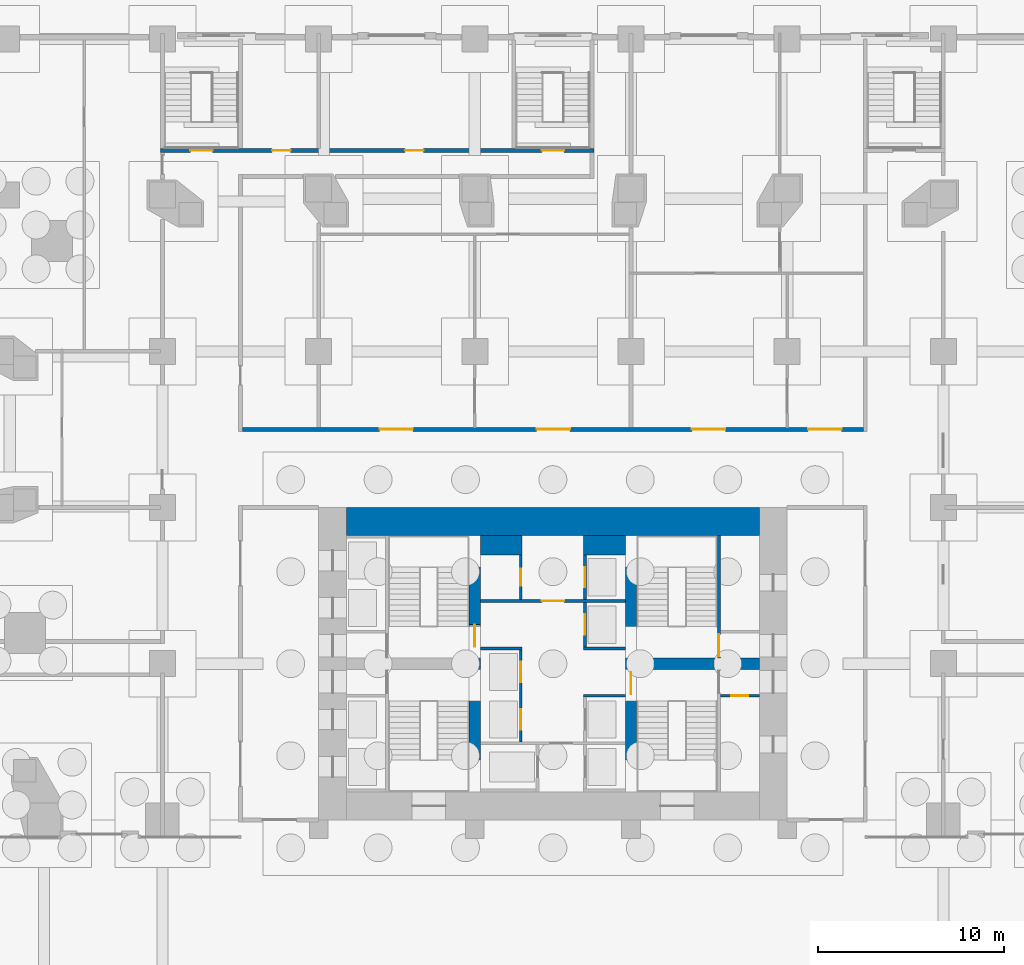
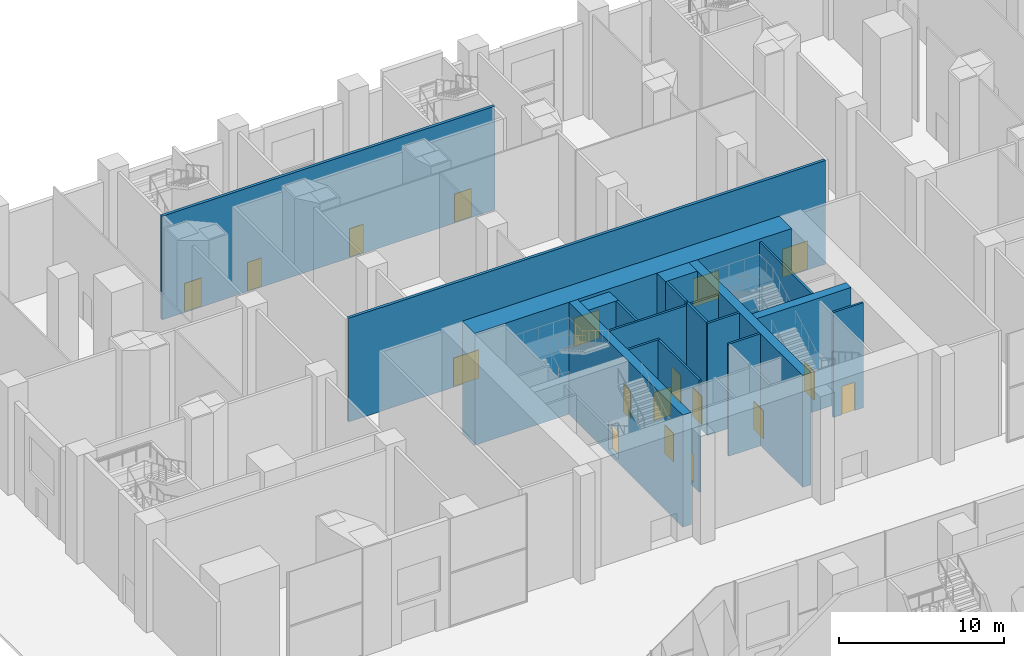
# One storey, part 17 of 31: 18 doors, 18 walls, 18 openings.
"""IFC4 building model written with IfcOpenShell, lengths in metres."""

import ifcopenshell
import ifcopenshell.guid

model = None  # the IFC model being written
_history = None  # IfcOwnerHistory: only IFC2X3 demands one
_inside = {}  # id of a spatial element -> (the spatial element, [elements in it])
_under = {}  # id of a project, library or spatial element -> (it, [spatial elements below it])
_declared = {}  # id of a project -> (the project, [libraries it declares])
_typed = {}  # id of a type object -> (the type object, [elements of that type])
_made_of = {}  # id of a material, layer set ... -> (it, [elements and type objects made of it])


def new_model(schema):
    """Start an empty IFC model of exactly this schema.

    Asked for "IFC4X3", IfcOpenShell would pick the latest addendum, in which some entities
    have other attributes; the version numbers below select the first issue.
    IFC2X3 requires an IfcOwnerHistory on every rooted entity: one is made here for all.
    """
    global model, _history
    if schema == "IFC4X3":
        model = ifcopenshell.file(schema_version=(4, 3, 0, 0))
    else:
        model = ifcopenshell.file(schema=schema)
    _inside.clear()
    _under.clear()
    _declared.clear()
    _typed.clear()
    _made_of.clear()
    _history = None
    if model.schema == "IFC2X3":
        org = make("IfcOrganization", Name="unknown")
        user = make(
            "IfcPersonAndOrganization",
            ThePerson=make("IfcPerson", FamilyName="unknown"),
            TheOrganization=org,
        )
        app = make(
            "IfcApplication",
            ApplicationDeveloper=org,
            Version="unknown",
            ApplicationFullName="unknown",
            ApplicationIdentifier="unknown",
        )
        _history = make(
            "IfcOwnerHistory",
            OwningUser=user,
            OwningApplication=app,
            ChangeAction="ADDED",
            CreationDate=0,
        )
    return model


def make(cls, **values):
    """One entity of the class cls with the attributes given. An attribute that is None is left unset."""
    return model.create_entity(
        cls, **{name: value for name, value in values.items() if value is not None}
    )


def rooted(cls, **values):
    """An entity with a GlobalId (a new one), such as an element, a storey or a relation."""
    return make(cls, GlobalId=ifcopenshell.guid.new(), OwnerHistory=_history, **values)


def si_unit(unit_type, name, prefix=None):
    """IfcSIUnit, for example si_unit("LENGTHUNIT", "METRE", prefix="MILLI")."""
    return make("IfcSIUnit", UnitType=unit_type, Prefix=prefix, Name=name)


def assignment(units):
    """IfcUnitAssignment: the units of a project."""
    return None if units is None else make("IfcUnitAssignment", Units=units)


def point(xyz):
    """IfcCartesianPoint."""
    return None if xyz is None else make("IfcCartesianPoint", Coordinates=xyz)


def direction(xyz):
    """IfcDirection."""
    return None if xyz is None else make("IfcDirection", DirectionRatios=xyz)


def frame(location, z_axis=None, x_axis=None):
    """IfcAxis2Placement3D, a coordinate frame: its origin and axes. An axis left out is left unset."""
    return make(
        "IfcAxis2Placement3D",
        Location=point(location),
        Axis=direction(z_axis),
        RefDirection=direction(x_axis),
    )


def frame_2d(location, x_axis=None):
    """IfcAxis2Placement2D, a coordinate frame in the plane: its origin and x axis."""
    return make(
        "IfcAxis2Placement2D", Location=point(location), RefDirection=direction(x_axis)
    )


def origin():
    """The frame at (0, 0, 0) with its axes left unset."""
    return frame((0.0, 0.0, 0.0))


def place(relative_to, where):
    """IfcLocalPlacement: puts the frame where relative to a parent placement (None: the world)."""
    return make(
        "IfcLocalPlacement", PlacementRelTo=relative_to, RelativePlacement=where
    )


def context(
    kind, dimensions, precision=None, world=None, true_north=None, identifier=None
):
    """IfcGeometricRepresentationContext, for example the 3D "Model" context."""
    return make(
        "IfcGeometricRepresentationContext",
        ContextIdentifier=identifier,
        ContextType=kind,
        CoordinateSpaceDimension=dimensions,
        Precision=precision,
        WorldCoordinateSystem=world,
        TrueNorth=true_north,
    )


def subcontext(parent, identifier, kind, view, scale=None):
    """IfcGeometricRepresentationSubContext, for example "Body" below "Model"."""
    return make(
        "IfcGeometricRepresentationSubContext",
        ContextIdentifier=identifier,
        ContextType=kind,
        ParentContext=parent,
        TargetScale=scale,
        TargetView=view,
    )


def project(units=None, contexts=None):
    """IfcProject with its units and contexts."""
    return rooted(
        "IfcProject",
        Name="project",
        RepresentationContexts=contexts,
        UnitsInContext=assignment(units),
    )


def spatial(cls, under=None, at=None, **own):
    """A site, building, storey or space (cls), placed at a placement, below another one or the project."""
    s = rooted(cls, ObjectPlacement=at, **own)
    if under is not None:
        _under.setdefault(under.id(), (under, []))[1].append(s)
    return s


def profile(cls, at=None, kind="AREA", **sizes):
    """A parametric profile (cls). Its sizes go by their IFC names, for example OverallWidth=200.0."""
    return make(cls, ProfileType=kind, Position=at, **sizes)


def rectangle(**sizes):
    """IfcRectangleProfileDef."""
    return profile("IfcRectangleProfileDef", **sizes)


def extrude(swept, where, along, depth):
    """IfcExtrudedAreaSolid: the profile swept, set in the frame where, extruded along a direction by depth."""
    return make(
        "IfcExtrudedAreaSolid",
        SweptArea=swept,
        Position=where,
        ExtrudedDirection=direction(along),
        Depth=depth,
    )


def shape(context_of_items, identifier, shape_type, items):
    """IfcShapeRepresentation: the items that make up one representation, for example the "Body"."""
    return make(
        "IfcShapeRepresentation",
        ContextOfItems=context_of_items,
        RepresentationIdentifier=identifier,
        RepresentationType=shape_type,
        Items=items,
    )


def material(Name=None, Category=None):
    """IfcMaterial."""
    return make("IfcMaterial", Name=Name, Category=Category)


def layer(
    of_material, thickness, ventilated=None, Name=None, Category=None, Priority=None
):
    """IfcMaterialLayer: one layer of a wall or slab, of a material (None: an air gap)."""
    return make(
        "IfcMaterialLayer",
        Material=of_material,
        LayerThickness=thickness,
        IsVentilated=ventilated,
        Name=Name,
        Category=Category,
        Priority=Priority,
    )


def layer_set(layers, Name=None):
    """IfcMaterialLayerSet."""
    return make("IfcMaterialLayerSet", MaterialLayers=layers, LayerSetName=Name)


def made_of(thing, what):
    """Note that an element or type object is made of a material, layer set ...; save() writes the relation."""
    if what is not None:
        _made_of.setdefault(what.id(), (what, []))[1].append(thing)
    return thing


def type_object(cls, material=None, **own):
    """A type object (cls), such as IfcWallType, which elements share."""
    return made_of(rooted(cls, **own), material)


def element(
    cls,
    number,
    at=None,
    inside=None,
    cuts=None,
    type_object=None,
    material=None,
    context=None,
    identifier="Body",
    shape_type=None,
    held_by="IfcProductDefinitionShape",
    body=None,
    shapes=None,
    **own,
):
    """One element of the class cls, such as IfcWall. Its Tag is "e" and its number.

    at: its placement. inside: the storey or other place that contains it. cuts: it is an
    opening in that element (IfcRelVoidsElement). A single representation is given by context,
    identifier, shape_type and body (its items); several are given by shapes. held_by: the class
    of the entity that holds the representations. save() writes the other relations.
    """
    e = rooted(cls, Tag="e%d" % number, ObjectPlacement=at, **own)
    if body is not None:
        shapes = [shape(context, identifier, shape_type, body)]
    if shapes is not None:
        e.Representation = make(held_by, Representations=shapes)
    if inside is not None:
        _inside.setdefault(inside.id(), (inside, []))[1].append(e)
    if cuts is not None:
        rooted(
            "IfcRelVoidsElement", RelatingBuildingElement=cuts, RelatedOpeningElement=e
        )
    if type_object is not None:
        _typed.setdefault(type_object.id(), (type_object, []))[1].append(e)
    return made_of(e, material)


def fill(opening, filler):
    """IfcRelFillsElement: the door or window that sits in an opening."""
    return rooted(
        "IfcRelFillsElement",
        RelatingOpeningElement=opening,
        RelatedBuildingElement=filler,
    )


def aggregate(whole, parts):
    """IfcRelAggregates: a whole, such as a stair, and the parts it consists of."""
    return rooted("IfcRelAggregates", RelatingObject=whole, RelatedObjects=parts)


def save(model, path):
    """Write the relations noted so far, then the file.

    IfcRelAggregates (storeys below a building ...), IfcRelContainedInSpatialStructure (elements
    in a storey), IfcRelDefinesByType, IfcRelAssociatesMaterial and IfcRelDeclares: one each for
    every whole, place, type object, material and project.
    """
    for whole, parts in _under.values():
        aggregate(whole, parts)
    for where, things in _inside.values():
        rooted(
            "IfcRelContainedInSpatialStructure",
            RelatedElements=things,
            RelatingStructure=where,
        )
    for kind, things in _typed.values():
        rooted("IfcRelDefinesByType", RelatedObjects=things, RelatingType=kind)
    for what, things in _made_of.values():
        rooted("IfcRelAssociatesMaterial", RelatedObjects=things, RelatingMaterial=what)
    for by, libraries in _declared.values():
        rooted("IfcRelDeclares", RelatingContext=by, RelatedDefinitions=libraries)
    model.write(path)


model = new_model("IFC4")

# Units and contexts
model_context = context("Model", 3, precision=1e-05, world=origin(), true_north=direction((0.0, 1.0)))
body_context = subcontext(model_context, "Body", "Model", "MODEL_VIEW")
ifc_project = project(units=[si_unit("LENGTHUNIT", "METRE"), si_unit("AREAUNIT", "SQUARE_METRE"), si_unit("VOLUMEUNIT", "CUBIC_METRE"), si_unit("PLANEANGLEUNIT", "RADIAN"), si_unit("MASSUNIT", "GRAM", prefix="KILO")], contexts=[model_context])

# Site, building, storey
site_placement = place(None, origin())
site = spatial("IfcSite", under=ifc_project, at=site_placement, CompositionType="ELEMENT")
building_placement = place(site_placement, origin())
building = spatial("IfcBuilding", under=site, at=building_placement, Name="Marenta Gate Hotel Tower", CompositionType="ELEMENT")
storey_placement = place(building_placement, origin())
storey = spatial("IfcBuildingStorey", under=building, at=storey_placement, Name="L00", CompositionType="ELEMENT", Elevation=0.0)

# Wall, opening, door
ifc_material_1 = material(Name="Concrete blockwork", Category="masonry")
ifc_layer_1 = layer(ifc_material_1, 0.14990234375)
ifc_layer_set_1 = layer_set([ifc_layer_1], Name="Concrete blockwork")
wall_type_1 = type_object("IfcWallType", Name="Core lobby partition 150 REI 180", PredefinedType="PARTITIONING", material=ifc_layer_set_1)
wall_1_placement = place(storey_placement, frame((-3.89990234375, 11.77490234375, 0.0), z_axis=(0.0, 0.0, 1.0), x_axis=(1.0, 0.0, 0.0)))
wall_1 = element("IfcWall", 1, at=wall_1_placement, inside=storey, type_object=wall_type_1, Name="L00-CP-CW-N", PredefinedType="PARTITIONING", context=body_context, shape_type="SweptSolid", body=[
    extrude(rectangle(XDim=7.7998046875, YDim=0.14990234375, at=frame_2d((3.89990234375, 0.0))), origin(), (0.0, 0.0, 1.0), 7.780029296875),
])
opening_1_placement = place(wall_1_placement, frame((3.300048828125, 0.0, 0.0)))
opening_1 = element("IfcOpeningElement", 2, at=opening_1_placement, cuts=wall_1, Name="Opening FD-FFN", PredefinedType="OPENING", context=body_context, shape_type="SweptSolid", body=[
    extrude(rectangle(XDim=1.199951171875, YDim=2.10009765625, at=frame_2d((0.60009765625, 1.050048828125))), frame((0.0, 0.074951171875, 0.0), z_axis=(0.0, -1.0, 0.0), x_axis=(1.0, 0.0, 0.0)), (0.0, 0.0, 1.0), 0.14990234375),
])
ifc_material_2 = material(Name="Steel", Category="steel")
door_type_1 = type_object("IfcDoorType", Name="Core lobby door 1200x2100 FD60", OperationType="SINGLE_SWING_LEFT", PredefinedType="DOOR", material=ifc_material_2)
door_1_placement = place(opening_1_placement, origin())
door_1 = element("IfcDoor", 3, at=door_1_placement, inside=storey, type_object=door_type_1, Name="FD-FFN", OperationType="SINGLE_SWING_LEFT", OverallHeight=2.10009765625, OverallWidth=1.199951171875, PredefinedType="DOOR", context=body_context, shape_type="SweptSolid", body=[
    extrude(rectangle(XDim=1.199951171875, YDim=2.10009765625, at=frame_2d((0.60009765625, 1.050048828125))), frame((0.0, 0.02490234375, 0.0), z_axis=(0.0, -1.0, 0.0), x_axis=(1.0, 0.0, 0.0)), (0.0, 0.0, 1.0), 0.050048828125),
])
fill(opening_1, door_1)

# Wall
ifc_material_3 = material(Name="Concrete blockwork", Category="masonry")
ifc_layer_2 = layer(ifc_material_3, 1.050048828125)
ifc_layer_set_2 = layer_set([ifc_layer_2], Name="Concrete blockwork")
wall_type_2 = type_object("IfcWallType", Name="Core room partition 1050 REI 180", PredefinedType="PARTITIONING", material=ifc_layer_set_2)
wall_2_placement = place(storey_placement, frame((-3.89990234375, 14.77490234375, 0.0), z_axis=(0.0, 0.0, 1.0), x_axis=(1.0, 0.0, 0.0)))
element("IfcWall", 4, at=wall_2_placement, inside=storey, type_object=wall_type_2, Name="L00-CP-CW-W-riser-N", PredefinedType="PARTITIONING", context=body_context, shape_type="SweptSolid", body=[
    extrude(rectangle(XDim=2.25, YDim=1.050048828125, at=frame_2d((1.125, 0.0))), origin(), (0.0, 0.0, 1.0), 7.780029296875),
])

# Wall, opening, door
ifc_material_4 = material(Name="Concrete blockwork", Category="masonry")
ifc_layer_3 = layer(ifc_material_4, 0.14990234375)
ifc_layer_set_3 = layer_set([ifc_layer_3], Name="Concrete blockwork")
wall_type_3 = type_object("IfcWallType", Name="Core room partition 150 REI 180", PredefinedType="PARTITIONING", material=ifc_layer_set_3)
wall_3_placement = place(storey_placement, frame((9.0, 6.675048828125, 0.0), z_axis=(0.0, 0.0, 1.0), x_axis=(1.0, 0.0, 0.0)))
wall_3 = element("IfcWall", 5, at=wall_3_placement, inside=storey, type_object=wall_type_3, Name="L00-CP-SW-ES-2", PredefinedType="PARTITIONING", context=body_context, shape_type="SweptSolid", body=[
    extrude(rectangle(XDim=2.10009765625, YDim=0.14990234375, at=frame_2d((1.050048828125, 0.0))), origin(), (0.0, 0.0, 1.0), 7.780029296875),
])
opening_2_placement = place(wall_3_placement, frame((0.60009765625, 0.0, 0.0)))
opening_2 = element("IfcOpeningElement", 6, at=opening_2_placement, cuts=wall_3, Name="Opening RD-ES-2", PredefinedType="OPENING", context=body_context, shape_type="SweptSolid", body=[
    extrude(rectangle(XDim=0.89990234375, YDim=2.10009765625, at=frame_2d((0.449951171875, 1.050048828125))), frame((0.0, 0.074951171875, 0.0), z_axis=(0.0, -1.0, 0.0), x_axis=(1.0, 0.0, 0.0)), (0.0, 0.0, 1.0), 0.14990234375),
])
ifc_material_5 = material(Name="Steel", Category="steel")
door_type_2 = type_object("IfcDoorType", Name="Core service room door 900x2100 FD30S", OperationType="SINGLE_SWING_LEFT", PredefinedType="DOOR", material=ifc_material_5)
door_2_placement = place(opening_2_placement, origin())
door_2 = element("IfcDoor", 7, at=door_2_placement, inside=storey, type_object=door_type_2, Name="RD-ES-2", OperationType="SINGLE_SWING_LEFT", OverallHeight=2.10009765625, OverallWidth=0.89990234375, PredefinedType="DOOR", context=body_context, shape_type="SweptSolid", body=[
    extrude(rectangle(XDim=0.89990234375, YDim=2.10009765625, at=frame_2d((0.449951171875, 1.050048828125))), frame((0.0, 0.02490234375, 0.0), z_axis=(0.0, -1.0, 0.0), x_axis=(1.0, 0.0, 0.0)), (0.0, 0.0, 1.0), 0.050048828125),
])
fill(opening_2, door_2)

wall_4_placement = place(storey_placement, frame((-1.72509765625, 11.85009765625, 0.0), z_axis=(0.0, 0.0, 1.0), x_axis=(0.0, 1.0, 0.0)))
wall_4 = element("IfcWall", 8, at=wall_4_placement, inside=storey, type_object=wall_type_3, Name="L00-CP-CW-W-riser-front", PredefinedType="PARTITIONING", context=body_context, shape_type="SweptSolid", body=[
    extrude(rectangle(XDim=2.39990234375, YDim=0.14990234375, at=frame_2d((1.199951171875, 0.0))), origin(), (0.0, 0.0, 1.0), 7.780029296875),
])
opening_3_placement = place(wall_4_placement, frame((0.75, 0.0, 0.0)))
opening_3 = element("IfcOpeningElement", 9, at=opening_3_placement, cuts=wall_4, Name="Opening RD-CRISER", PredefinedType="OPENING", context=body_context, shape_type="SweptSolid", body=[
    extrude(rectangle(XDim=0.89990234375, YDim=2.10009765625, at=frame_2d((0.449951171875, 1.050048828125))), frame((0.0, 0.074951171875, 0.0), z_axis=(0.0, -1.0, 0.0), x_axis=(1.0, 0.0, 0.0)), (0.0, 0.0, 1.0), 0.14990234375),
])
ifc_material_6 = material(Name="Steel", Category="steel")
door_type_3 = type_object("IfcDoorType", Name="Core riser door 900x2100 FD60", OperationType="SINGLE_SWING_LEFT", PredefinedType="DOOR", material=ifc_material_6)
door_3_placement = place(opening_3_placement, origin())
door_3 = element("IfcDoor", 10, at=door_3_placement, inside=storey, type_object=door_type_3, Name="RD-CRISER", OperationType="SINGLE_SWING_LEFT", OverallHeight=2.10009765625, OverallWidth=0.89990234375, PredefinedType="DOOR", context=body_context, shape_type="SweptSolid", body=[
    extrude(rectangle(XDim=0.89990234375, YDim=2.10009765625, at=frame_2d((0.449951171875, 1.050048828125))), frame((0.0, 0.02490234375, 0.0), z_axis=(0.0, -1.0, 0.0), x_axis=(1.0, 0.0, 0.0)), (0.0, 0.0, 1.0), 0.050048828125),
])
fill(opening_3, door_3)

# Wall
ifc_material_7 = material(Name="Concrete C40", Category="concrete")
ifc_layer_4 = layer(ifc_material_7, 1.050048828125)
ifc_layer_set_4 = layer_set([ifc_layer_4], Name="Concrete C40")
wall_type_4 = type_object("IfcWallType", Name="Core shaft wall 1050 REI 180", PredefinedType="SHEAR", material=ifc_layer_set_4)
wall_5_placement = place(storey_placement, frame((1.64990234375, 14.77490234375, -0.300048828125), z_axis=(0.0, 0.0, 1.0), x_axis=(1.0, 0.0, 0.0)))
element("IfcWall", 11, at=wall_5_placement, inside=storey, type_object=wall_type_4, Name="L00-SHF-CE-N-top", PredefinedType="SHEAR", context=body_context, shape_type="SweptSolid", body=[
    extrude(rectangle(XDim=2.25, YDim=1.050048828125, at=frame_2d((1.125, 0.0))), origin(), (0.0, 0.0, 1.0), 8.300048828125),
])

# Wall, openings, doors
ifc_material_8 = material(Name="Concrete C40", Category="concrete")
ifc_layer_5 = layer(ifc_material_8, 0.14990234375)
ifc_layer_set_5 = layer_set([ifc_layer_5], Name="Concrete C40")
wall_type_5 = type_object("IfcWallType", Name="Core shaft wall 150 REI 180", PredefinedType="SHEAR", material=ifc_layer_set_5)
wall_6_placement = place(storey_placement, frame((-1.72509765625, 4.199951171875, -0.300048828125), z_axis=(0.0, 0.0, 1.0), x_axis=(0.0, 1.0, 0.0)))
wall_6 = element("IfcWall", 12, at=wall_6_placement, inside=storey, type_object=wall_type_5, Name="L00-SHF-CW-W-front", PredefinedType="SHEAR", context=body_context, shape_type="SweptSolid", body=[
    extrude(rectangle(XDim=4.949951171875, YDim=0.14990234375, at=frame_2d((2.47509765625, 0.0))), origin(), (0.0, 0.0, 1.0), 8.300048828125),
])
opening_4_placement = place(wall_6_placement, frame((0.64990234375, 0.0, 0.300048828125)))
opening_4 = element("IfcOpeningElement", 13, at=opening_4_placement, cuts=wall_6, Name="Opening LD-OB1", PredefinedType="OPENING", context=body_context, shape_type="SweptSolid", body=[
    extrude(rectangle(XDim=1.10009765625, YDim=2.10009765625, at=frame_2d((0.550048828125, 1.050048828125))), frame((0.0, 0.074951171875, 0.0), z_axis=(0.0, -1.0, 0.0), x_axis=(1.0, 0.0, 0.0)), (0.0, 0.0, 1.0), 0.14990234375),
])
opening_5_placement = place(wall_6_placement, frame((3.199951171875, 0.0, 0.300048828125)))
opening_5 = element("IfcOpeningElement", 14, at=opening_5_placement, cuts=wall_6, Name="Opening LD-OB2", PredefinedType="OPENING", context=body_context, shape_type="SweptSolid", body=[
    extrude(rectangle(XDim=1.10009765625, YDim=2.10009765625, at=frame_2d((0.550048828125, 1.050048828125))), frame((0.0, 0.074951171875, 0.0), z_axis=(0.0, -1.0, 0.0), x_axis=(1.0, 0.0, 0.0)), (0.0, 0.0, 1.0), 0.14990234375),
])
ifc_material_9 = material(Name="Steel", Category="steel")
door_type_4 = type_object("IfcDoorType", Name="Core lift landing door 1100x2100 E 60", OperationType="SLIDING_TO_LEFT", PredefinedType="DOOR", material=ifc_material_9)
door_4_placement = place(opening_4_placement, origin())
door_4 = element("IfcDoor", 15, at=door_4_placement, inside=storey, type_object=door_type_4, Name="LD-OB1", OperationType="SLIDING_TO_LEFT", OverallHeight=2.10009765625, OverallWidth=1.10009765625, PredefinedType="DOOR", context=body_context, shape_type="SweptSolid", body=[
    extrude(rectangle(XDim=1.10009765625, YDim=2.10009765625, at=frame_2d((0.550048828125, 1.050048828125))), frame((0.0, 0.02490234375, 0.0), z_axis=(0.0, -1.0, 0.0), x_axis=(1.0, 0.0, 0.0)), (0.0, 0.0, 1.0), 0.050048828125),
])
fill(opening_4, door_4)
door_5_placement = place(opening_5_placement, origin())
door_5 = element("IfcDoor", 16, at=door_5_placement, inside=storey, type_object=door_type_4, Name="LD-OB2", OperationType="SLIDING_TO_LEFT", OverallHeight=2.10009765625, OverallWidth=1.10009765625, PredefinedType="DOOR", context=body_context, shape_type="SweptSolid", body=[
    extrude(rectangle(XDim=1.10009765625, YDim=2.10009765625, at=frame_2d((0.550048828125, 1.050048828125))), frame((0.0, 0.02490234375, 0.0), z_axis=(0.0, -1.0, 0.0), x_axis=(1.0, 0.0, 0.0)), (0.0, 0.0, 1.0), 0.050048828125),
])
fill(opening_5, door_5)

# Wall
wall_7_placement = place(storey_placement, frame((-3.89990234375, 9.22509765625, -0.300048828125), z_axis=(0.0, 0.0, 1.0), x_axis=(1.0, 0.0, 0.0)))
element("IfcWall", 17, at=wall_7_placement, inside=storey, type_object=wall_type_5, Name="L00-SHF-CW-W-sep", PredefinedType="SHEAR", context=body_context, shape_type="SweptSolid", body=[
    extrude(rectangle(XDim=2.25, YDim=0.14990234375, at=frame_2d((1.125, 0.0))), origin(), (0.0, 0.0, 1.0), 8.300048828125),
])

# Wall, opening, door
wall_8_placement = place(storey_placement, frame((1.72509765625, 11.85009765625, -0.300048828125), z_axis=(0.0, 0.0, 1.0), x_axis=(0.0, 1.0, 0.0)))
wall_8 = element("IfcWall", 18, at=wall_8_placement, inside=storey, type_object=wall_type_5, Name="L00-SHF-CE-N-front2", PredefinedType="SHEAR", context=body_context, shape_type="SweptSolid", body=[
    extrude(rectangle(XDim=2.39990234375, YDim=0.14990234375, at=frame_2d((1.199951171875, 0.0))), origin(), (0.0, 0.0, 1.0), 8.300048828125),
])
opening_6_placement = place(wall_8_placement, frame((0.64990234375, 0.0, 0.300048828125)))
opening_6 = element("IfcOpeningElement", 19, at=opening_6_placement, cuts=wall_8, Name="Opening LD-FF2", PredefinedType="OPENING", context=body_context, shape_type="SweptSolid", body=[
    extrude(rectangle(XDim=1.10009765625, YDim=2.10009765625, at=frame_2d((0.550048828125, 1.050048828125))), frame((0.0, 0.074951171875, 0.0), z_axis=(0.0, -1.0, 0.0), x_axis=(1.0, 0.0, 0.0)), (0.0, 0.0, 1.0), 0.14990234375),
])
door_6_placement = place(opening_6_placement, origin())
door_6 = element("IfcDoor", 20, at=door_6_placement, inside=storey, type_object=door_type_4, Name="LD-FF2", OperationType="SLIDING_TO_LEFT", OverallHeight=2.10009765625, OverallWidth=1.10009765625, PredefinedType="DOOR", context=body_context, shape_type="SweptSolid", body=[
    extrude(rectangle(XDim=1.10009765625, YDim=2.10009765625, at=frame_2d((0.550048828125, 1.050048828125))), frame((0.0, 0.02490234375, 0.0), z_axis=(0.0, -1.0, 0.0), x_axis=(1.0, 0.0, 0.0)), (0.0, 0.0, 1.0), 0.050048828125),
])
fill(opening_6, door_6)

# Walls
for number, where, z_axis, x_axis, name in (
    (21, (1.64990234375, 6.675048828125, -0.300048828125), (0.0, 0.0, 1.0), (1.0, 0.0, 0.0), "L00-SHF-CE-sep1"),
    (22, (1.64990234375, 9.22509765625, -0.300048828125), (0.0, 0.0, 1.0), (1.0, 0.0, 0.0), "L00-SHF-CE-sep2"),
):
    element("IfcWall", number, at=place(storey_placement, frame(where, z_axis=z_axis, x_axis=x_axis)), inside=storey, type_object=wall_type_5, Name=name, PredefinedType="SHEAR", context=body_context, shape_type="SweptSolid", body=[
        extrude(rectangle(XDim=2.25, YDim=0.14990234375, at=frame_2d((1.125, 0.0))), origin(), (0.0, 0.0, 1.0), 8.300048828125),
    ])

# Wall, opening, door
wall_9_placement = place(storey_placement, frame((1.72509765625, 9.300048828125, -0.300048828125), z_axis=(0.0, 0.0, 1.0), x_axis=(0.0, 1.0, 0.0)))
wall_9 = element("IfcWall", 23, at=wall_9_placement, inside=storey, type_object=wall_type_5, Name="L00-SHF-CE-front-2", PredefinedType="SHEAR", context=body_context, shape_type="SweptSolid", body=[
    extrude(rectangle(XDim=2.39990234375, YDim=0.14990234375, at=frame_2d((1.199951171875, 0.0))), origin(), (0.0, 0.0, 1.0), 8.300048828125),
])
opening_7_placement = place(wall_9_placement, frame((0.64990234375, 0.0, 0.300048828125)))
opening_7 = element("IfcOpeningElement", 24, at=opening_7_placement, cuts=wall_9, Name="Opening LD-SH2", PredefinedType="OPENING", context=body_context, shape_type="SweptSolid", body=[
    extrude(rectangle(XDim=1.10009765625, YDim=2.10009765625, at=frame_2d((0.550048828125, 1.050048828125))), frame((0.0, 0.074951171875, 0.0), z_axis=(0.0, -1.0, 0.0), x_axis=(1.0, 0.0, 0.0)), (0.0, 0.0, 1.0), 0.14990234375),
])
door_7_placement = place(opening_7_placement, origin())
door_7 = element("IfcDoor", 25, at=door_7_placement, inside=storey, type_object=door_type_4, Name="LD-SH2", OperationType="SLIDING_TO_LEFT", OverallHeight=2.10009765625, OverallWidth=1.10009765625, PredefinedType="DOOR", context=body_context, shape_type="SweptSolid", body=[
    extrude(rectangle(XDim=1.10009765625, YDim=2.10009765625, at=frame_2d((0.550048828125, 1.050048828125))), frame((0.0, 0.02490234375, 0.0), z_axis=(0.0, -1.0, 0.0), x_axis=(1.0, 0.0, 0.0)), (0.0, 0.0, 1.0), 0.050048828125),
])
fill(opening_7, door_7)

ifc_material_10 = material(Name="Concrete C40", Category="concrete")
ifc_layer_6 = layer(ifc_material_10, 0.14990234375)
ifc_layer_set_6 = layer_set([ifc_layer_6], Name="Concrete C40")
wall_type_6 = type_object("IfcWallType", Name="Core stair enclosure wall 150 REI 180", PredefinedType="SHEAR", material=ifc_layer_set_6)
wall_10_placement = place(storey_placement, frame((8.925048828125, 8.699951171875, 0.0), z_axis=(0.0, 0.0, 1.0), x_axis=(0.0, 1.0, 0.0)))
wall_10 = element("IfcWall", 26, at=wall_10_placement, inside=storey, type_object=wall_type_6, Name="L00-SHF-SW-EN-3", PredefinedType="SHEAR", context=body_context, shape_type="SweptSolid", body=[
    extrude(rectangle(XDim=6.60009765625, YDim=0.14990234375, at=frame_2d((3.300048828125, 0.0))), origin(), (0.0, 0.0, 1.0), 7.780029296875),
])
opening_8_placement = place(wall_10_placement, frame((0.074951171875, 0.0, 0.0)))
opening_8 = element("IfcOpeningElement", 27, at=opening_8_placement, cuts=wall_10, Name="Opening SD-EN", PredefinedType="OPENING", context=body_context, shape_type="SweptSolid", body=[
    extrude(rectangle(XDim=1.199951171875, YDim=2.10009765625, at=frame_2d((0.60009765625, 1.050048828125))), frame((0.0, 0.074951171875, 0.0), z_axis=(0.0, -1.0, 0.0), x_axis=(1.0, 0.0, 0.0)), (0.0, 0.0, 1.0), 0.14990234375),
])
ifc_material_11 = material(Name="Steel", Category="steel")
door_type_5 = type_object("IfcDoorType", Name="Core stair door 1200x2100 FD60", OperationType="SINGLE_SWING_LEFT", PredefinedType="DOOR", material=ifc_material_11)
door_8_placement = place(opening_8_placement, origin())
door_8 = element("IfcDoor", 28, at=door_8_placement, inside=storey, type_object=door_type_5, Name="SD-EN", OperationType="SINGLE_SWING_LEFT", OverallHeight=2.10009765625, OverallWidth=1.199951171875, PredefinedType="DOOR", context=body_context, shape_type="SweptSolid", body=[
    extrude(rectangle(XDim=1.199951171875, YDim=2.10009765625, at=frame_2d((0.60009765625, 1.050048828125))), frame((0.0, 0.02490234375, 0.0), z_axis=(0.0, -1.0, 0.0), x_axis=(1.0, 0.0, 0.0)), (0.0, 0.0, 1.0), 0.050048828125),
])
fill(opening_8, door_8)

# Wall
ifc_material_12 = material(Name="Concrete C80", Category="concrete")
ifc_layer_7 = layer(ifc_material_12, 1.5)
ifc_layer_set_7 = layer_set([ifc_layer_7], Name="Concrete C80")
wall_type_7 = type_object("IfcWallType", Name="Core wall 1500 C80", PredefinedType="SHEAR", material=ifc_layer_set_7)
wall_11_placement = place(storey_placement, frame((-11.10009765625, 16.050048828125, -0.300048828125), z_axis=(0.0, 0.0, 1.0), x_axis=(1.0, 0.0, 0.0)))
element("IfcWall", 29, at=wall_11_placement, inside=storey, type_object=wall_type_7, Name="L00-CORE-N", PredefinedType="SHEAR", context=body_context, shape_type="SweptSolid", body=[
    extrude(rectangle(XDim=22.2001953125, YDim=1.5, at=frame_2d((11.10009765625, 0.0))), origin(), (0.0, 0.0, 1.0), 8.300048828125),
])

# Wall, opening, door
ifc_material_13 = material(Name="Concrete C80", Category="concrete")
ifc_layer_8 = layer(ifc_material_13, 0.60009765625)
ifc_layer_set_8 = layer_set([ifc_layer_8], Name="Concrete C80")
wall_type_8 = type_object("IfcWallType", Name="Core web 600 C80", PredefinedType="SHEAR", material=ifc_layer_set_8)
wall_12_placement = place(storey_placement, frame((-4.199951171875, 1.5, -0.300048828125), z_axis=(0.0, 0.0, 1.0), x_axis=(0.0, 1.0, 0.0)))
wall_12 = element("IfcWall", 30, at=wall_12_placement, inside=storey, type_object=wall_type_8, Name="L00-CORE-W1", PredefinedType="SHEAR", context=body_context, shape_type="SweptSolid", body=[
    extrude(rectangle(XDim=13.800048828125, YDim=0.60009765625, at=frame_2d((6.89990234375, 0.0))), origin(), (0.0, 0.0, 1.0), 8.300048828125),
])
opening_9_placement = place(wall_12_placement, frame((7.800048828125, 0.0, 0.300048828125)))
opening_9 = element("IfcOpeningElement", 31, at=opening_9_placement, cuts=wall_12, Name="Opening WD-W", PredefinedType="OPENING", context=body_context, shape_type="SweptSolid", body=[
    extrude(rectangle(XDim=1.199951171875, YDim=2.10009765625, at=frame_2d((0.60009765625, 1.050048828125))), frame((0.0, 0.300048828125, 0.0), z_axis=(0.0, -1.0, 0.0), x_axis=(1.0, 0.0, 0.0)), (0.0, 0.0, 1.0), 0.60009765625),
])
door_9_placement = place(opening_9_placement, origin())
door_9 = element("IfcDoor", 32, at=door_9_placement, inside=storey, type_object=door_type_5, Name="WD-W", OperationType="SINGLE_SWING_LEFT", OverallHeight=2.10009765625, OverallWidth=1.199951171875, PredefinedType="DOOR", context=body_context, shape_type="SweptSolid", body=[
    extrude(rectangle(XDim=1.199951171875, YDim=2.10009765625, at=frame_2d((0.60009765625, 1.050048828125))), frame((0.0, 0.02490234375, 0.0), z_axis=(0.0, -1.0, 0.0), x_axis=(1.0, 0.0, 0.0)), (0.0, 0.0, 1.0), 0.050048828125),
])
fill(opening_9, door_9)

wall_13_placement = place(storey_placement, frame((4.199951171875, 1.5, -0.300048828125), z_axis=(0.0, 0.0, 1.0), x_axis=(0.0, 1.0, 0.0)))
wall_13 = element("IfcWall", 33, at=wall_13_placement, inside=storey, type_object=wall_type_8, Name="L00-CORE-W2", PredefinedType="SHEAR", context=body_context, shape_type="SweptSolid", body=[
    extrude(rectangle(XDim=13.800048828125, YDim=0.60009765625, at=frame_2d((6.89990234375, 0.0))), origin(), (0.0, 0.0, 1.0), 8.300048828125),
])
opening_10_placement = place(wall_13_placement, frame((5.25, 0.0, 0.300048828125)))
opening_10 = element("IfcOpeningElement", 34, at=opening_10_placement, cuts=wall_13, Name="Opening WD-E", PredefinedType="OPENING", context=body_context, shape_type="SweptSolid", body=[
    extrude(rectangle(XDim=1.199951171875, YDim=2.10009765625, at=frame_2d((0.60009765625, 1.050048828125))), frame((0.0, 0.300048828125, 0.0), z_axis=(0.0, -1.0, 0.0), x_axis=(1.0, 0.0, 0.0)), (0.0, 0.0, 1.0), 0.60009765625),
])
door_10_placement = place(opening_10_placement, origin())
door_10 = element("IfcDoor", 35, at=door_10_placement, inside=storey, type_object=door_type_5, Name="WD-E", OperationType="SINGLE_SWING_LEFT", OverallHeight=2.10009765625, OverallWidth=1.199951171875, PredefinedType="DOOR", context=body_context, shape_type="SweptSolid", body=[
    extrude(rectangle(XDim=1.199951171875, YDim=2.10009765625, at=frame_2d((0.60009765625, 1.050048828125))), frame((0.0, 0.02490234375, 0.0), z_axis=(0.0, -1.0, 0.0), x_axis=(1.0, 0.0, 0.0)), (0.0, 0.0, 1.0), 0.050048828125),
])
fill(opening_10, door_10)

# Wall
wall_14_placement = place(storey_placement, frame((4.5, 8.39990234375, -0.300048828125), z_axis=(0.0, 0.0, 1.0), x_axis=(1.0, 0.0, 0.0)))
element("IfcWall", 36, at=wall_14_placement, inside=storey, type_object=wall_type_8, Name="L00-CORE-W4", PredefinedType="SHEAR", context=body_context, shape_type="SweptSolid", body=[
    extrude(rectangle(XDim=6.60009765625, YDim=0.60009765625, at=frame_2d((3.300048828125, 0.0))), origin(), (0.0, 0.0, 1.0), 8.300048828125),
])

# Wall, openings, doors
ifc_material_14 = material(Name="Gypsum board on steel stud", Category="steel")
ifc_layer_9 = layer(ifc_material_14, 0.199951171875)
ifc_layer_set_9 = layer_set([ifc_layer_9], Name="Gypsum board on steel stud")
wall_type_9 = type_object("IfcWallType", Name="Room corridor wall 200 EI 60", PredefinedType="PARTITIONING", material=ifc_layer_set_9)
wall_15_placement = place(storey_placement, frame((-16.699951171875, 21.0, 0.0), z_axis=(0.0, 0.0, 1.0), x_axis=(1.0, 0.0, 0.0)))
wall_15 = element("IfcWall", 37, at=wall_15_placement, inside=storey, type_object=wall_type_9, Name="L00-PTN-W060", PredefinedType="PARTITIONING", context=body_context, shape_type="SweptSolid", body=[
    extrude(rectangle(XDim=33.39990234375, YDim=0.199951171875, at=frame_2d((16.699951171875, 0.0))), origin(), (0.0, 0.0, 1.0), 7.679931640625),
])
opening_11_placement = place(wall_15_placement, frame((15.824951171875, 0.0, 0.0)))
opening_11 = element("IfcOpeningElement", 38, at=opening_11_placement, cuts=wall_15, Name="Opening S01-19", PredefinedType="OPENING", context=body_context, shape_type="SweptSolid", body=[
    extrude(rectangle(XDim=1.800048828125, YDim=2.10009765625, at=frame_2d((0.89990234375, 1.050048828125))), frame((0.0, 0.10009765625, 0.0), z_axis=(0.0, -1.0, 0.0), x_axis=(1.0, 0.0, 0.0)), (0.0, 0.0, 1.0), 0.199951171875),
])
opening_12_placement = place(wall_15_placement, frame((7.375, 0.0, 0.0)))
opening_12 = element("IfcOpeningElement", 39, at=opening_12_placement, cuts=wall_15, Name="Opening S01-20", PredefinedType="OPENING", context=body_context, shape_type="SweptSolid", body=[
    extrude(rectangle(XDim=1.800048828125, YDim=2.10009765625, at=frame_2d((0.89990234375, 1.050048828125))), frame((0.0, 0.10009765625, 0.0), z_axis=(0.0, -1.0, 0.0), x_axis=(1.0, 0.0, 0.0)), (0.0, 0.0, 1.0), 0.199951171875),
])
opening_13_placement = place(wall_15_placement, frame((24.175048828125, 0.0, 0.0)))
opening_13 = element("IfcOpeningElement", 40, at=opening_13_placement, cuts=wall_15, Name="Opening S01-23", PredefinedType="OPENING", context=body_context, shape_type="SweptSolid", body=[
    extrude(rectangle(XDim=1.800048828125, YDim=2.10009765625, at=frame_2d((0.89990234375, 1.050048828125))), frame((0.0, 0.10009765625, 0.0), z_axis=(0.0, -1.0, 0.0), x_axis=(1.0, 0.0, 0.0)), (0.0, 0.0, 1.0), 0.199951171875),
])
opening_14_placement = place(wall_15_placement, frame((30.425048828125, 0.0, 0.0)))
opening_14 = element("IfcOpeningElement", 41, at=opening_14_placement, cuts=wall_15, Name="Opening S01-24", PredefinedType="OPENING", context=body_context, shape_type="SweptSolid", body=[
    extrude(rectangle(XDim=1.800048828125, YDim=2.10009765625, at=frame_2d((0.89990234375, 1.050048828125))), frame((0.0, 0.10009765625, 0.0), z_axis=(0.0, -1.0, 0.0), x_axis=(1.0, 0.0, 0.0)), (0.0, 0.0, 1.0), 0.199951171875),
])
ifc_material_15 = material(Name="Timber door leaf", Category="wood")
door_type_6 = type_object("IfcDoorType", Name="Room amenity door 1800x2100 EI 30", OperationType="DOUBLE_DOOR_SINGLE_SWING", PredefinedType="DOOR", material=ifc_material_15)
door_11_placement = place(opening_11_placement, origin())
door_11 = element("IfcDoor", 42, at=door_11_placement, inside=storey, type_object=door_type_6, Name="L00-PD-D019", OperationType="DOUBLE_DOOR_SINGLE_SWING", OverallHeight=2.10009765625, OverallWidth=1.800048828125, PredefinedType="DOOR", context=body_context, shape_type="SweptSolid", body=[
    extrude(rectangle(XDim=1.800048828125, YDim=2.10009765625, at=frame_2d((0.89990234375, 1.050048828125))), frame((0.0, 0.02490234375, 0.0), z_axis=(0.0, -1.0, 0.0), x_axis=(1.0, 0.0, 0.0)), (0.0, 0.0, 1.0), 0.050048828125),
])
fill(opening_11, door_11)
door_12_placement = place(opening_12_placement, origin())
door_12 = element("IfcDoor", 43, at=door_12_placement, inside=storey, type_object=door_type_6, Name="L00-PD-D020", OperationType="DOUBLE_DOOR_SINGLE_SWING", OverallHeight=2.10009765625, OverallWidth=1.800048828125, PredefinedType="DOOR", context=body_context, shape_type="SweptSolid", body=[
    extrude(rectangle(XDim=1.800048828125, YDim=2.10009765625, at=frame_2d((0.89990234375, 1.050048828125))), frame((0.0, 0.02490234375, 0.0), z_axis=(0.0, -1.0, 0.0), x_axis=(1.0, 0.0, 0.0)), (0.0, 0.0, 1.0), 0.050048828125),
])
fill(opening_12, door_12)
door_13_placement = place(opening_13_placement, origin())
door_13 = element("IfcDoor", 44, at=door_13_placement, inside=storey, type_object=door_type_6, Name="L00-PD-D023", OperationType="DOUBLE_DOOR_SINGLE_SWING", OverallHeight=2.10009765625, OverallWidth=1.800048828125, PredefinedType="DOOR", context=body_context, shape_type="SweptSolid", body=[
    extrude(rectangle(XDim=1.800048828125, YDim=2.10009765625, at=frame_2d((0.89990234375, 1.050048828125))), frame((0.0, 0.02490234375, 0.0), z_axis=(0.0, -1.0, 0.0), x_axis=(1.0, 0.0, 0.0)), (0.0, 0.0, 1.0), 0.050048828125),
])
fill(opening_13, door_13)
door_14_placement = place(opening_14_placement, origin())
door_14 = element("IfcDoor", 45, at=door_14_placement, inside=storey, type_object=door_type_6, Name="L00-PD-D024", OperationType="DOUBLE_DOOR_SINGLE_SWING", OverallHeight=2.10009765625, OverallWidth=1.800048828125, PredefinedType="DOOR", context=body_context, shape_type="SweptSolid", body=[
    extrude(rectangle(XDim=1.800048828125, YDim=2.10009765625, at=frame_2d((0.89990234375, 1.050048828125))), frame((0.0, 0.02490234375, 0.0), z_axis=(0.0, -1.0, 0.0), x_axis=(1.0, 0.0, 0.0)), (0.0, 0.0, 1.0), 0.050048828125),
])
fill(opening_14, door_14)

ifc_material_16 = material(Name="Concrete blockwork", Category="masonry")
ifc_layer_10 = layer(ifc_material_16, 0.199951171875)
ifc_layer_set_10 = layer_set([ifc_layer_10], Name="Concrete blockwork")
wall_type_10 = type_object("IfcWallType", Name="Room corridor wall 200 REI 180", PredefinedType="PARTITIONING", material=ifc_layer_set_10)
wall_16_placement = place(storey_placement, frame((-21.10009765625, 36.0, 0.0), z_axis=(0.0, 0.0, 1.0), x_axis=(1.0, 0.0, 0.0)))
wall_16 = element("IfcWall", 46, at=wall_16_placement, inside=storey, type_object=wall_type_10, Name="L00-PTN-W077", PredefinedType="PARTITIONING", context=body_context, shape_type="SweptSolid", body=[
    extrude(rectangle(XDim=23.300048828125, YDim=0.199951171875, at=frame_2d((11.64990234375, 0.0))), origin(), (0.0, 0.0, 1.0), 7.679931640625),
])
opening_15_placement = place(wall_16_placement, frame((1.60009765625, 0.0, 0.0)))
opening_15 = element("IfcOpeningElement", 47, at=opening_15_placement, cuts=wall_16, Name="Opening S01-01", PredefinedType="OPENING", context=body_context, shape_type="SweptSolid", body=[
    extrude(rectangle(XDim=1.199951171875, YDim=2.10009765625, at=frame_2d((0.60009765625, 1.050048828125))), frame((0.0, 0.10009765625, 0.0), z_axis=(0.0, -1.0, 0.0), x_axis=(1.0, 0.0, 0.0)), (0.0, 0.0, 1.0), 0.199951171875),
])
opening_16_placement = place(wall_16_placement, frame((6.0, 0.0, 0.0)))
opening_16 = element("IfcOpeningElement", 48, at=opening_16_placement, cuts=wall_16, Name="Opening S01-18", PredefinedType="OPENING", context=body_context, shape_type="SweptSolid", body=[
    extrude(rectangle(XDim=1.0, YDim=2.10009765625, at=frame_2d((0.5, 1.050048828125))), frame((0.0, 0.10009765625, 0.0), z_axis=(0.0, -1.0, 0.0), x_axis=(1.0, 0.0, 0.0)), (0.0, 0.0, 1.0), 0.199951171875),
])
opening_17_placement = place(wall_16_placement, frame((13.14990234375, 0.0, 0.0)))
opening_17 = element("IfcOpeningElement", 49, at=opening_17_placement, cuts=wall_16, Name="Opening S01-21", PredefinedType="OPENING", context=body_context, shape_type="SweptSolid", body=[
    extrude(rectangle(XDim=1.0, YDim=2.10009765625, at=frame_2d((0.5, 1.050048828125))), frame((0.0, 0.10009765625, 0.0), z_axis=(0.0, -1.0, 0.0), x_axis=(1.0, 0.0, 0.0)), (0.0, 0.0, 1.0), 0.199951171875),
])
opening_18_placement = place(wall_16_placement, frame((20.5, 0.0, 0.0)))
opening_18 = element("IfcOpeningElement", 50, at=opening_18_placement, cuts=wall_16, Name="Opening S01-41", PredefinedType="OPENING", context=body_context, shape_type="SweptSolid", body=[
    extrude(rectangle(XDim=1.199951171875, YDim=2.10009765625, at=frame_2d((0.60009765625, 1.050048828125))), frame((0.0, 0.10009765625, 0.0), z_axis=(0.0, -1.0, 0.0), x_axis=(1.0, 0.0, 0.0)), (0.0, 0.0, 1.0), 0.199951171875),
])
ifc_material_17 = material(Name="Hollow steel door set", Category="steel")
door_type_7 = type_object("IfcDoorType", Name="Podium stair door 1200x2100 EI 60", OperationType="NOTDEFINED", PredefinedType="DOOR", material=ifc_material_17)
door_15_placement = place(opening_15_placement, origin())
door_15 = element("IfcDoor", 51, at=door_15_placement, inside=storey, type_object=door_type_7, Name="L00-PD-D001", OperationType="SINGLE_SWING_RIGHT", OverallHeight=2.10009765625, OverallWidth=1.199951171875, PredefinedType="DOOR", context=body_context, shape_type="SweptSolid", body=[
    extrude(rectangle(XDim=1.199951171875, YDim=2.10009765625, at=frame_2d((0.60009765625, 1.050048828125))), frame((0.0, 0.02490234375, 0.0), z_axis=(0.0, -1.0, 0.0), x_axis=(1.0, 0.0, 0.0)), (0.0, 0.0, 1.0), 0.050048828125),
])
fill(opening_15, door_15)
door_16_placement = place(opening_18_placement, origin())
door_16 = element("IfcDoor", 52, at=door_16_placement, inside=storey, type_object=door_type_7, Name="L00-PD-D041", OperationType="SINGLE_SWING_LEFT", OverallHeight=2.10009765625, OverallWidth=1.199951171875, PredefinedType="DOOR", context=body_context, shape_type="SweptSolid", body=[
    extrude(rectangle(XDim=1.199951171875, YDim=2.10009765625, at=frame_2d((0.60009765625, 1.050048828125))), frame((0.0, 0.02490234375, 0.0), z_axis=(0.0, -1.0, 0.0), x_axis=(1.0, 0.0, 0.0)), (0.0, 0.0, 1.0), 0.050048828125),
])
fill(opening_18, door_16)
ifc_material_18 = material(Name="Timber door leaf", Category="wood")
door_type_8 = type_object("IfcDoorType", Name="Room amenity door 1000x2100 EI 60", OperationType="NOTDEFINED", PredefinedType="DOOR", material=ifc_material_18)
door_17_placement = place(opening_16_placement, origin())
door_17 = element("IfcDoor", 53, at=door_17_placement, inside=storey, type_object=door_type_8, Name="L00-PD-D018", OperationType="SINGLE_SWING_RIGHT", OverallHeight=2.10009765625, OverallWidth=1.0, PredefinedType="DOOR", context=body_context, shape_type="SweptSolid", body=[
    extrude(rectangle(XDim=1.0, YDim=2.10009765625, at=frame_2d((0.5, 1.050048828125))), frame((0.0, 0.02490234375, 0.0), z_axis=(0.0, -1.0, 0.0), x_axis=(1.0, 0.0, 0.0)), (0.0, 0.0, 1.0), 0.050048828125),
])
fill(opening_16, door_17)
ifc_material_19 = material(Name="Timber door leaf", Category="wood")
door_type_9 = type_object("IfcDoorType", Name="Room inner door 1000x2100 EI 60", OperationType="NOTDEFINED", PredefinedType="DOOR", material=ifc_material_19)
door_18_placement = place(opening_17_placement, origin())
door_18 = element("IfcDoor", 54, at=door_18_placement, inside=storey, type_object=door_type_9, Name="L00-PD-D021", OperationType="SINGLE_SWING_RIGHT", OverallHeight=2.10009765625, OverallWidth=1.0, PredefinedType="DOOR", context=body_context, shape_type="SweptSolid", body=[
    extrude(rectangle(XDim=1.0, YDim=2.10009765625, at=frame_2d((0.5, 1.050048828125))), frame((0.0, 0.02490234375, 0.0), z_axis=(0.0, -1.0, 0.0), x_axis=(1.0, 0.0, 0.0)), (0.0, 0.0, 1.0), 0.050048828125),
])
fill(opening_17, door_18)

save(model, "model.ifc")
